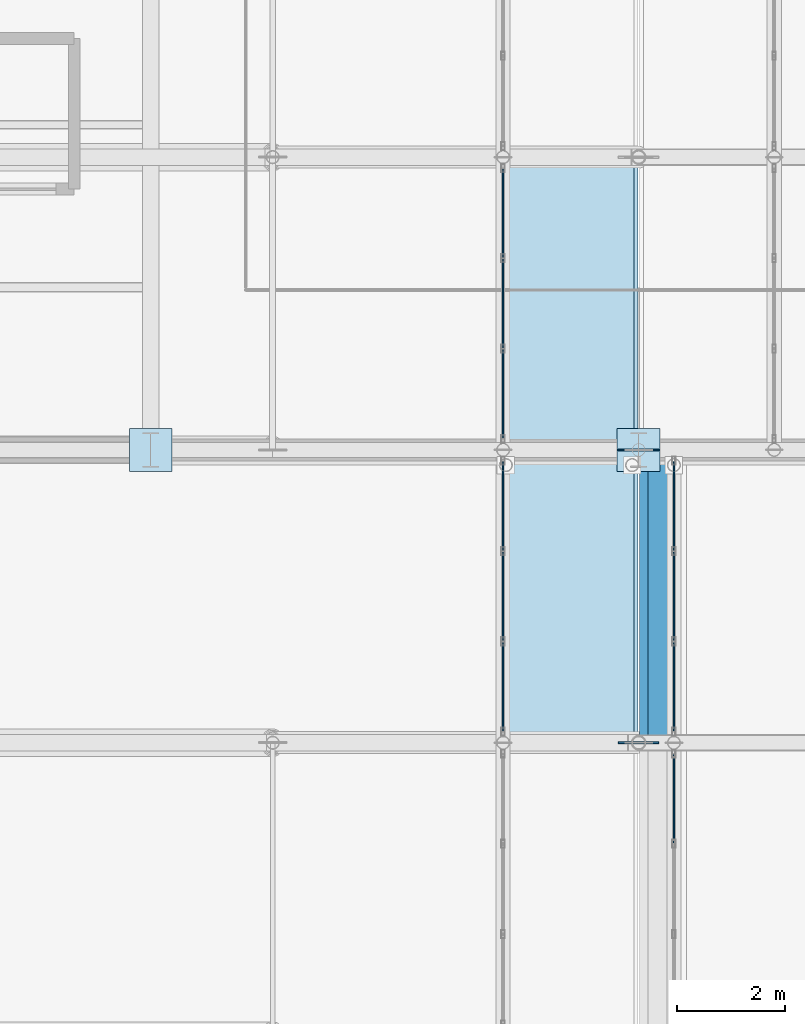
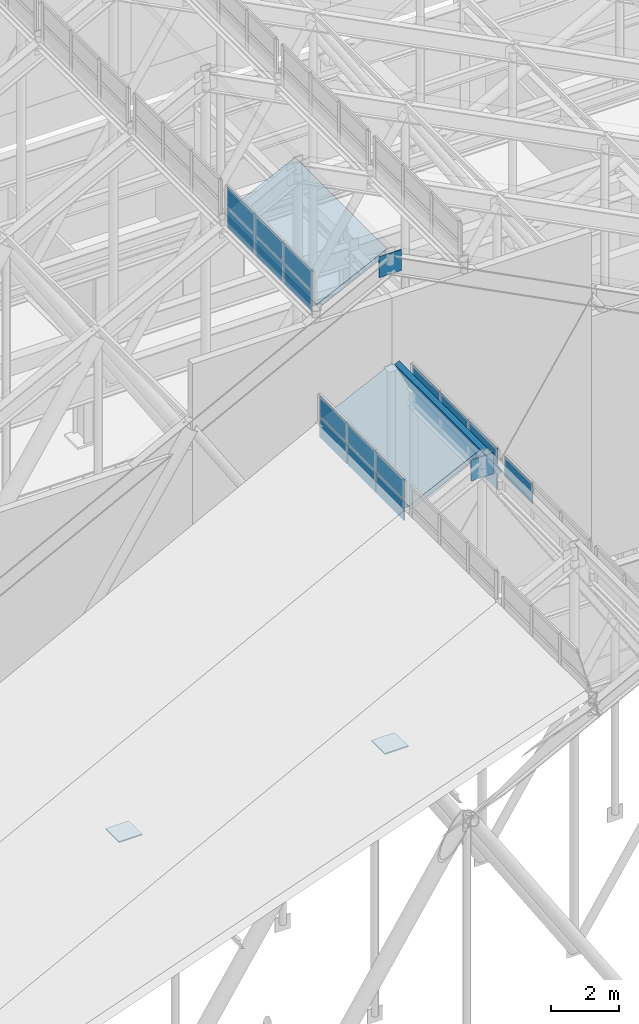
# One storey, part 69 of 84: 23 plates, 3 slabs, 4 elements without a shape of their own.
"""IFC4 building model written with IfcOpenShell, lengths in metres."""

from ifc_helpers import new_model, si_unit, direction, frame, origin, origin_2d, place, context, subcontext, project, spatial, polyline, rectangle, outline, extrude, material, layer, layer_set, type_object, element, aggregate, save


model = new_model("IFC4")

# Units and contexts
model_context = context("Model", 3, precision=1e-05, world=origin(), true_north=direction((0.0, 1.0)))
body_context = subcontext(model_context, "Body", "Model", "MODEL_VIEW")
ifc_project = project(units=[si_unit("LENGTHUNIT", "METRE"), si_unit("AREAUNIT", "SQUARE_METRE"), si_unit("VOLUMEUNIT", "CUBIC_METRE"), si_unit("PLANEANGLEUNIT", "RADIAN"), si_unit("MASSUNIT", "GRAM", prefix="KILO")], contexts=[model_context])

# Site, building, storey
site_placement = place(None, origin())
site = spatial("IfcSite", under=ifc_project, at=site_placement, CompositionType="ELEMENT")
building_placement = place(site_placement, origin())
building = spatial("IfcBuilding", under=site, at=building_placement, Name="Sundgate Opera House", CompositionType="ELEMENT")
storey_placement = place(building_placement, frame((0.0, 0.0, 30.60009765625)))
storey = spatial("IfcBuildingStorey", under=building, at=storey_placement, Name="L06", CompositionType="ELEMENT", Elevation=30.60009765625)

# Curtain wall, plate
ifc_material_1 = material(Name="Anodized aluminium and low-iron glass", Category="aluminium")
ifc_layer_1 = layer(ifc_material_1, 0.169921875)
ifc_layer_set_1 = layer_set([ifc_layer_1], Name="Anodized aluminium and low-iron glass")
curtain_wall_type = type_object("IfcCurtainWallType", Name="CW-LANTERN-POLY", PredefinedType="NOTDEFINED", material=ifc_layer_set_1)
curtain_wall_1_placement = place(storey_placement, origin())
curtain_wall_1 = element("IfcCurtainWall", 1, at=curtain_wall_1_placement, inside=storey, type_object=curtain_wall_type, Name="L06 Curtain Wall CW176", PredefinedType="NOTDEFINED")
ifc_material_2 = material(Name="Polychrome stained-glass skylight glazing", Category="glass")
ifc_layer_2 = layer(ifc_material_2, 0.028076171875)
ifc_layer_set_2 = layer_set([ifc_layer_2], Name="Polychrome stained-glass skylight glazing")
plate_type_1 = type_object("IfcPlateType", Name="CWP-POLY-28", PredefinedType="CURTAIN_PANEL", material=ifc_layer_set_2)
plate_1_placement = place(storey_placement, frame((54.64990234375, 53.566650390625, 12.77001953125), z_axis=(0.0, 0.0, 1.0), x_axis=(0.0, 1.0, 0.0)))
plate_1 = element("IfcPlate", 2, at=plate_1_placement, type_object=plate_type_1, Name="CW176 Panel 6", PredefinedType="CURTAIN_PANEL", context=body_context, shape_type="SweptSolid", body=[
    extrude(rectangle(XDim=1.626708984375, YDim=0.028076171875, at=origin_2d()), origin(), (0.0, 0.0, 1.0), 0.7099609375),
])
aggregate(curtain_wall_1, [plate_1])

# Curtain wall, plates
curtain_wall_2_placement = place(storey_placement, origin())
curtain_wall_2 = element("IfcCurtainWall", 3, at=curtain_wall_2_placement, inside=storey, type_object=curtain_wall_type, Name="L06 Curtain Wall CW177", PredefinedType="NOTDEFINED")
plate_2_placement = place(storey_placement, frame((51.5, 58.966552734375, 12.02001953125), z_axis=(0.0, 0.0, 1.0), x_axis=(0.0, -1.0, 0.0)))
plate_2 = element("IfcPlate", 4, at=plate_2_placement, type_object=plate_type_1, Name="CW177 Panel 1", PredefinedType="CURTAIN_PANEL", context=body_context, shape_type="SweptSolid", body=[
    extrude(rectangle(XDim=1.626708984375, YDim=0.028076171875, at=origin_2d()), origin(), (0.0, 0.0, 1.0), 0.7099609375),
])
plate_3_placement = place(storey_placement, frame((51.5, 58.966552734375, 12.77001953125), z_axis=(0.0, 0.0, 1.0), x_axis=(0.0, -1.0, 0.0)))
plate_3 = element("IfcPlate", 5, at=plate_3_placement, type_object=plate_type_1, Name="CW177 Panel 2", PredefinedType="CURTAIN_PANEL", context=body_context, shape_type="SweptSolid", body=[
    extrude(rectangle(XDim=1.626708984375, YDim=0.028076171875, at=origin_2d()), origin(), (0.0, 0.0, 1.0), 0.7099609375),
])
plate_4_placement = place(storey_placement, frame((51.5, 57.300048828125, 12.02001953125), z_axis=(0.0, 0.0, 1.0), x_axis=(0.0, -1.0, 0.0)))
plate_4 = element("IfcPlate", 6, at=plate_4_placement, type_object=plate_type_1, Name="CW177 Panel 3", PredefinedType="CURTAIN_PANEL", context=body_context, shape_type="SweptSolid", body=[
    extrude(rectangle(XDim=1.626708984375, YDim=0.028076171875, at=origin_2d()), origin(), (0.0, 0.0, 1.0), 0.7099609375),
])
plate_5_placement = place(storey_placement, frame((51.5, 57.300048828125, 12.77001953125), z_axis=(0.0, 0.0, 1.0), x_axis=(0.0, -1.0, 0.0)))
plate_5 = element("IfcPlate", 7, at=plate_5_placement, type_object=plate_type_1, Name="CW177 Panel 4", PredefinedType="CURTAIN_PANEL", context=body_context, shape_type="SweptSolid", body=[
    extrude(rectangle(XDim=1.626708984375, YDim=0.028076171875, at=origin_2d()), origin(), (0.0, 0.0, 1.0), 0.7099609375),
])
plate_6_placement = place(storey_placement, frame((51.5, 55.63330078125, 12.02001953125), z_axis=(0.0, 0.0, 1.0), x_axis=(0.0, -1.0, 0.0)))
plate_6 = element("IfcPlate", 8, at=plate_6_placement, type_object=plate_type_1, Name="CW177 Panel 5", PredefinedType="CURTAIN_PANEL", context=body_context, shape_type="SweptSolid", body=[
    extrude(rectangle(XDim=1.626708984375, YDim=0.028076171875, at=origin_2d()), origin(), (0.0, 0.0, 1.0), 0.7099609375),
])
plate_7_placement = place(storey_placement, frame((51.5, 55.63330078125, 12.77001953125), z_axis=(0.0, 0.0, 1.0), x_axis=(0.0, -1.0, 0.0)))
plate_7 = element("IfcPlate", 9, at=plate_7_placement, type_object=plate_type_1, Name="CW177 Panel 6", PredefinedType="CURTAIN_PANEL", context=body_context, shape_type="SweptSolid", body=[
    extrude(rectangle(XDim=1.626708984375, YDim=0.028076171875, at=origin_2d()), origin(), (0.0, 0.0, 1.0), 0.7099609375),
])
aggregate(curtain_wall_2, [plate_2, plate_3, plate_4, plate_5, plate_6, plate_7])

curtain_wall_3_placement = place(storey_placement, origin())
curtain_wall_3 = element("IfcCurtainWall", 10, at=curtain_wall_3_placement, inside=storey, type_object=curtain_wall_type, Name="L06 Curtain Wall CW178", PredefinedType="NOTDEFINED")
plate_8_placement = place(storey_placement, frame((54.64990234375, 55.63330078125, 12.02001953125), z_axis=(0.0, 0.0, 1.0), x_axis=(0.0, 1.0, 0.0)))
plate_8 = element("IfcPlate", 11, at=plate_8_placement, type_object=plate_type_1, Name="CW178 Panel 1", PredefinedType="CURTAIN_PANEL", context=body_context, shape_type="SweptSolid", body=[
    extrude(rectangle(XDim=1.626708984375, YDim=0.028076171875, at=origin_2d()), origin(), (0.0, 0.0, 1.0), 0.7099609375),
])
plate_9_placement = place(storey_placement, frame((54.64990234375, 55.63330078125, 12.77001953125), z_axis=(0.0, 0.0, 1.0), x_axis=(0.0, 1.0, 0.0)))
plate_9 = element("IfcPlate", 12, at=plate_9_placement, type_object=plate_type_1, Name="CW178 Panel 2", PredefinedType="CURTAIN_PANEL", context=body_context, shape_type="SweptSolid", body=[
    extrude(rectangle(XDim=1.626708984375, YDim=0.028076171875, at=origin_2d()), origin(), (0.0, 0.0, 1.0), 0.7099609375),
])
plate_10_placement = place(storey_placement, frame((54.64990234375, 57.300048828125, 12.02001953125), z_axis=(0.0, 0.0, 1.0), x_axis=(0.0, 1.0, 0.0)))
plate_10 = element("IfcPlate", 13, at=plate_10_placement, type_object=plate_type_1, Name="CW178 Panel 3", PredefinedType="CURTAIN_PANEL", context=body_context, shape_type="SweptSolid", body=[
    extrude(rectangle(XDim=1.626708984375, YDim=0.028076171875, at=origin_2d()), origin(), (0.0, 0.0, 1.0), 0.7099609375),
])
plate_11_placement = place(storey_placement, frame((54.64990234375, 57.300048828125, 12.77001953125), z_axis=(0.0, 0.0, 1.0), x_axis=(0.0, 1.0, 0.0)))
plate_11 = element("IfcPlate", 14, at=plate_11_placement, type_object=plate_type_1, Name="CW178 Panel 4", PredefinedType="CURTAIN_PANEL", context=body_context, shape_type="SweptSolid", body=[
    extrude(rectangle(XDim=1.626708984375, YDim=0.028076171875, at=origin_2d()), origin(), (0.0, 0.0, 1.0), 0.7099609375),
])
plate_12_placement = place(storey_placement, frame((54.64990234375, 58.966552734375, 12.02001953125), z_axis=(0.0, 0.0, 1.0), x_axis=(0.0, 1.0, 0.0)))
plate_12 = element("IfcPlate", 15, at=plate_12_placement, type_object=plate_type_1, Name="CW178 Panel 5", PredefinedType="CURTAIN_PANEL", context=body_context, shape_type="SweptSolid", body=[
    extrude(rectangle(XDim=1.626708984375, YDim=0.028076171875, at=origin_2d()), origin(), (0.0, 0.0, 1.0), 0.7099609375),
])
plate_13_placement = place(storey_placement, frame((54.64990234375, 58.966552734375, 12.77001953125), z_axis=(0.0, 0.0, 1.0), x_axis=(0.0, 1.0, 0.0)))
plate_13 = element("IfcPlate", 16, at=plate_13_placement, type_object=plate_type_1, Name="CW178 Panel 6", PredefinedType="CURTAIN_PANEL", context=body_context, shape_type="SweptSolid", body=[
    extrude(rectangle(XDim=1.626708984375, YDim=0.028076171875, at=origin_2d()), origin(), (0.0, 0.0, 1.0), 0.7099609375),
])
aggregate(curtain_wall_3, [plate_8, plate_9, plate_10, plate_11, plate_12, plate_13])

curtain_wall_4_placement = place(storey_placement, origin())
curtain_wall_4 = element("IfcCurtainWall", 17, at=curtain_wall_4_placement, inside=storey, type_object=curtain_wall_type, Name="L06 Curtain Wall CW179", PredefinedType="NOTDEFINED")
plate_14_placement = place(storey_placement, frame((51.5, 64.36669921875, 16.219970703125), z_axis=(0.0, 0.0, 1.0), x_axis=(0.0, -1.0, 0.0)))
plate_14 = element("IfcPlate", 18, at=plate_14_placement, type_object=plate_type_1, Name="CW179 Panel 1", PredefinedType="CURTAIN_PANEL", context=body_context, shape_type="SweptSolid", body=[
    extrude(rectangle(XDim=1.626708984375, YDim=0.028076171875, at=origin_2d()), origin(), (0.0, 0.0, 1.0), 0.7099609375),
])
plate_15_placement = place(storey_placement, frame((51.5, 64.36669921875, 16.969970703125), z_axis=(0.0, 0.0, 1.0), x_axis=(0.0, -1.0, 0.0)))
plate_15 = element("IfcPlate", 19, at=plate_15_placement, type_object=plate_type_1, Name="CW179 Panel 2", PredefinedType="CURTAIN_PANEL", context=body_context, shape_type="SweptSolid", body=[
    extrude(rectangle(XDim=1.626708984375, YDim=0.028076171875, at=origin_2d()), origin(), (0.0, 0.0, 1.0), 0.7099609375),
])
plate_16_placement = place(storey_placement, frame((51.5, 62.699951171875, 16.219970703125), z_axis=(0.0, 0.0, 1.0), x_axis=(0.0, -1.0, 0.0)))
plate_16 = element("IfcPlate", 20, at=plate_16_placement, type_object=plate_type_1, Name="CW179 Panel 3", PredefinedType="CURTAIN_PANEL", context=body_context, shape_type="SweptSolid", body=[
    extrude(rectangle(XDim=1.626708984375, YDim=0.028076171875, at=origin_2d()), origin(), (0.0, 0.0, 1.0), 0.7099609375),
])
plate_17_placement = place(storey_placement, frame((51.5, 62.699951171875, 16.969970703125), z_axis=(0.0, 0.0, 1.0), x_axis=(0.0, -1.0, 0.0)))
plate_17 = element("IfcPlate", 21, at=plate_17_placement, type_object=plate_type_1, Name="CW179 Panel 4", PredefinedType="CURTAIN_PANEL", context=body_context, shape_type="SweptSolid", body=[
    extrude(rectangle(XDim=1.626708984375, YDim=0.028076171875, at=origin_2d()), origin(), (0.0, 0.0, 1.0), 0.7099609375),
])
plate_18_placement = place(storey_placement, frame((51.5, 61.033447265625, 16.219970703125), z_axis=(0.0, 0.0, 1.0), x_axis=(0.0, -1.0, 0.0)))
plate_18 = element("IfcPlate", 22, at=plate_18_placement, type_object=plate_type_1, Name="CW179 Panel 5", PredefinedType="CURTAIN_PANEL", context=body_context, shape_type="SweptSolid", body=[
    extrude(rectangle(XDim=1.626708984375, YDim=0.028076171875, at=origin_2d()), origin(), (0.0, 0.0, 1.0), 0.7099609375),
])
plate_19_placement = place(storey_placement, frame((51.5, 61.033447265625, 16.969970703125), z_axis=(0.0, 0.0, 1.0), x_axis=(0.0, -1.0, 0.0)))
plate_19 = element("IfcPlate", 23, at=plate_19_placement, type_object=plate_type_1, Name="CW179 Panel 6", PredefinedType="CURTAIN_PANEL", context=body_context, shape_type="SweptSolid", body=[
    extrude(rectangle(XDim=1.626708984375, YDim=0.028076171875, at=origin_2d()), origin(), (0.0, 0.0, 1.0), 0.7099609375),
])
aggregate(curtain_wall_4, [plate_14, plate_15, plate_16, plate_17, plate_18, plate_19])

# Plates
ifc_material_3 = material(Name="Steel S355J2", Category="steel")
ifc_layer_3 = layer(ifc_material_3, 0.0400390625)
ifc_layer_set_3 = layer_set([ifc_layer_3], Name="Steel S355J2")
plate_type_2 = type_object("IfcPlateType", Name="PT-BAS-40", PredefinedType="USERDEFINED", material=ifc_layer_set_3)
plate_20_placement = place(storey_placement, frame((45.0, 60.0, 0.0), z_axis=(0.0, 0.0, 1.0), x_axis=(1.0, 0.0, 0.0)))
element("IfcPlate", 24, at=plate_20_placement, inside=storey, type_object=plate_type_2, Name="L06 Base Plate PT0067", ObjectType="BASE PLATE", PredefinedType="USERDEFINED", context=body_context, shape_type="SweptSolid", body=[
    extrude(rectangle(XDim=0.7900390625, YDim=0.7900390625, at=origin_2d()), origin(), (0.0, 0.0, 1.0), 0.0400390625),
])
ifc_material_4 = material(Name="Steel S355J2", Category="steel")
ifc_layer_4 = layer(ifc_material_4, 0.044921875)
ifc_layer_set_4 = layer_set([ifc_layer_4], Name="Steel S355J2")
plate_type_3 = type_object("IfcPlateType", Name="PT-BAS-45", PredefinedType="USERDEFINED", material=ifc_layer_set_4)
plate_21_placement = place(storey_placement, frame((54.0, 60.0, 0.0), z_axis=(0.0, 0.0, 1.0), x_axis=(1.0, 0.0, 0.0)))
element("IfcPlate", 25, at=plate_21_placement, inside=storey, type_object=plate_type_3, Name="L06 Base Plate PT0085", ObjectType="BASE PLATE", PredefinedType="USERDEFINED", context=body_context, shape_type="SweptSolid", body=[
    extrude(rectangle(XDim=0.7900390625, YDim=0.7900390625, at=origin_2d()), origin(), (0.0, 0.0, 1.0), 0.044921875),
])
ifc_material_5 = material(Name="Steel S355J2", Category="steel")
ifc_layer_5 = layer(ifc_material_5, 0.031982421875)
ifc_layer_set_5 = layer_set([ifc_layer_5], Name="Steel S355J2")
plate_type_4 = type_object("IfcPlateType", Name="PT-GUS-32", PredefinedType="USERDEFINED", material=ifc_layer_set_5)
for number, where, z_axis, x_axis, name in (
    (26, (54.0, 54.60009765625, 12.824951171875), (0.0, 0.0, 1.0), (1.0, 0.0, 0.0), "L06 Ridge Gusset Plate PT0608"),
    (27, (54.0, 60.0, 16.824951171875), (0.0, 0.0, 1.0), (1.0, 0.0, 0.0), "L06 Ridge Gusset Plate PT0629"),
):
    element("IfcPlate", number, at=place(storey_placement, frame(where, z_axis=z_axis, x_axis=x_axis)), inside=storey, type_object=plate_type_4, Name=name, ObjectType="GUSSET PLATE", PredefinedType="USERDEFINED", context=body_context, shape_type="SweptSolid", body=[
        extrude(rectangle(XDim=0.75, YDim=0.031982421875, at=origin_2d()), origin(), (0.0, 0.0, 1.0), 0.75),
    ])

# Slabs
ifc_material_6 = material(Name="Precast concrete C40/50", Category="concrete")
ifc_layer_6 = layer(ifc_material_6, 0.175048828125)
ifc_layer_set_6 = layer_set([ifc_layer_6], Name="Precast concrete C40/50")
slab_type = type_object("IfcSlabType", Name="SL-ROOF-175", PredefinedType="ROOF", material=ifc_layer_set_6)
slab_1_placement = place(storey_placement, frame((51.52001953125, 54.60009765625, 12.659912109375), z_axis=(-0.436631996776, 0.0, 0.899640205522), x_axis=(0.899640205522, 0.0, 0.436631996776)))
element("IfcSlab", 28, at=slab_1_placement, inside=storey, type_object=slab_type, Name="V1 Skylight Ridge Cap Slab SR019", PredefinedType="ROOF", context=body_context, shape_type="SweptSolid", body=[
    extrude(outline(polyline([(0.0, 0.0), (2.6564981905605958, 0.0), (2.6564981905605958, 5.14990234375), (0.0, 5.14990234375), (0.0, 0.0)])), origin(), (0.0, 0.0, -1.0), 0.175048828125),
])
slab_2_placement = place(storey_placement, frame((54.169921875, 54.60009765625, 13.81982421875), z_axis=(0.896162177798, 0.0, 0.443726662579), x_axis=(0.443726662579, 0.0, -0.896162177798)))
element("IfcSlab", 29, at=slab_2_placement, inside=storey, type_object=slab_type, Name="V1 Skylight Ridge Cap Slab SR020", PredefinedType="ROOF", context=body_context, shape_type="SweptSolid", body=[
    extrude(outline(polyline([(0.0, 0.0), (1.1493782290672092, 0.0), (1.1493782290672092, 5.14990234375), (0.0, 5.14990234375), (0.0, 0.0)])), origin(), (0.0, 0.0, -1.0), 0.175048828125),
])
slab_3_placement = place(storey_placement, frame((51.52001953125, 60.0, 16.599853515625), z_axis=(-0.436706374365, 0.0, 0.899604103253), x_axis=(0.899604103253, 0.0, 0.436706374365)))
element("IfcSlab", 30, at=slab_3_placement, inside=storey, type_object=slab_type, Name="V1 Skylight Ridge Cap Slab SR023", PredefinedType="ROOF", context=body_context, shape_type="SweptSolid", body=[
    extrude(outline(polyline([(0.0, 0.0), (2.6566047992486617, 0.0), (2.6566047992486617, 5.399902343750001), (0.0, 5.399902343750001), (0.0, 0.0)])), origin(), (0.0, 0.0, -1.0), 0.175048828125),
])

save(model, "model.ifc")
